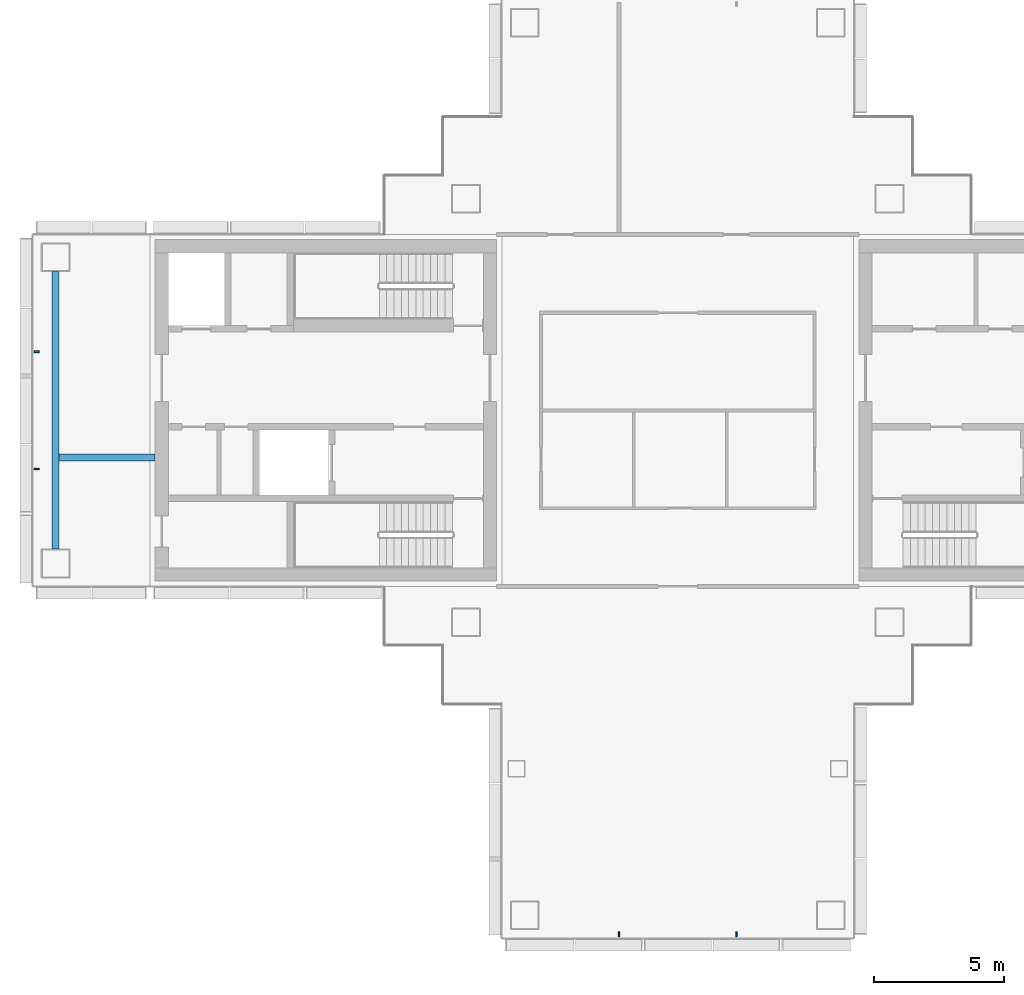
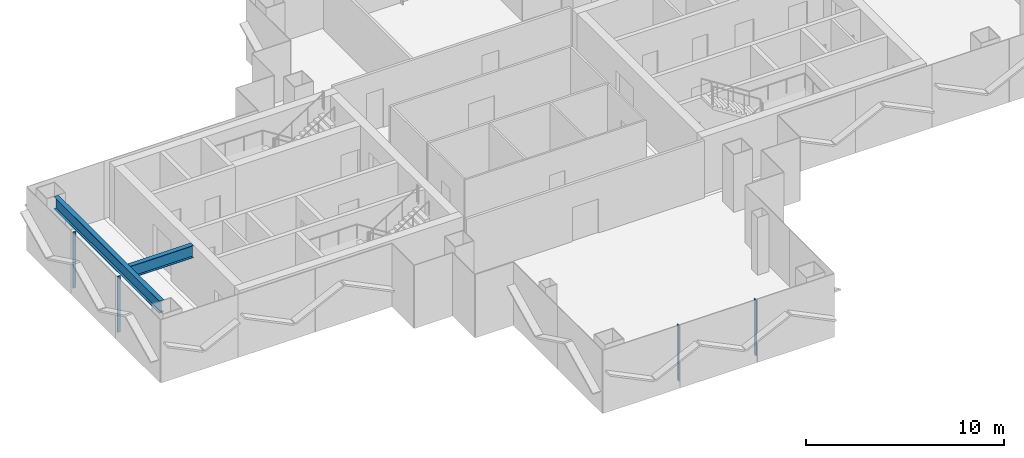
# One storey, part 3 of 16: 4 members, 2 beams, 2 elements without a shape of their own.
"""IFC4 building model written with IfcOpenShell, lengths in metres."""

from ifc_helpers import new_model, si_unit, direction, frame, origin, origin_2d, place, context, subcontext, project, spatial, rectangle, i_section, extrude, material, layer, layer_set, material_profile, profile_set, type_object, element, aggregate, save


model = new_model("IFC4")

# Units and contexts
model_context = context("Model", 3, precision=1e-05, world=origin(), true_north=direction((0.0, 1.0)))
body_context = subcontext(model_context, "Body", "Model", "MODEL_VIEW")
ifc_project = project(units=[si_unit("LENGTHUNIT", "METRE"), si_unit("AREAUNIT", "SQUARE_METRE"), si_unit("VOLUMEUNIT", "CUBIC_METRE"), si_unit("PLANEANGLEUNIT", "RADIAN"), si_unit("MASSUNIT", "GRAM", prefix="KILO")], contexts=[model_context])

# Site, building, storey
site_placement = place(None, origin())
site = spatial("IfcSite", under=ifc_project, at=site_placement, CompositionType="ELEMENT")
building_placement = place(site_placement, origin())
building = spatial("IfcBuilding", under=site, at=building_placement, Name="Shamsa Quay Exchange Towers", CompositionType="ELEMENT")
storey_placement = place(building_placement, frame((0.0, 0.0, 166.199951171875)))
storey = spatial("IfcBuildingStorey", under=building, at=storey_placement, Name="L39", CompositionType="ELEMENT", Elevation=166.199951171875)

# Curtain wall, members
ifc_material_1 = material(Name="Aluminium EN AW-6063 T6, black anodised", Category="aluminium")
ifc_layer = layer(ifc_material_1, 0.280029296875)
ifc_layer_set = layer_set([ifc_layer], Name="CW-1 UNITISED VISION GLASS")
curtain_wall_type = type_object("IfcCurtainWallType", Name="CW-1 UNITISED VISION GLASS", PredefinedType="NOTDEFINED", material=ifc_layer_set)
curtain_wall_1_placement = place(storey_placement, origin())
curtain_wall_1 = element("IfcCurtainWall", 1, at=curtain_wall_1_placement, inside=storey, type_object=curtain_wall_type, Name="CW1 T1-END-V- L39", PredefinedType="NOTDEFINED")
ifc_material_profile_1 = material_profile(ifc_material_1, rectangle(XDim=0.179931640625, YDim=0.06005859375, at=origin_2d()), Name="MU60x180")
ifc_profile_set_1 = profile_set([ifc_material_profile_1], Name="Aluminium EN AW-6063 T6, black anodised")
member_type = type_object("IfcMemberType", Name="CW1 MULLION 60x180", PredefinedType="MULLION", material=ifc_profile_set_1)
member_1_placement = place(storey_placement, frame((-36.0, -20.10009765625, 0.0), z_axis=(0.0, 0.0, 1.0), x_axis=(0.0, 1.0, 0.0)))
member_1 = element("IfcMember", 2, at=member_1_placement, type_object=member_type, Name="CW1 mullion", PredefinedType="MULLION", context=body_context, shape_type="SweptSolid", body=[
    extrude(rectangle(XDim=0.179931640625, YDim=0.06005859375, at=origin_2d()), origin(), (0.0, 0.0, 1.0), 3.449951171875),
])
member_2_placement = place(storey_placement, frame((-31.5, -20.10009765625, 0.0), z_axis=(0.0, 0.0, 1.0), x_axis=(0.0, 1.0, 0.0)))
member_2 = element("IfcMember", 3, at=member_2_placement, type_object=member_type, Name="CW1 mullion", PredefinedType="MULLION", context=body_context, shape_type="SweptSolid", body=[
    extrude(rectangle(XDim=0.179931640625, YDim=0.06005859375, at=origin_2d()), origin(), (0.0, 0.0, 1.0), 3.449951171875),
])
aggregate(curtain_wall_1, [member_1, member_2])

curtain_wall_2_placement = place(storey_placement, origin())
curtain_wall_2 = element("IfcCurtainWall", 4, at=curtain_wall_2_placement, inside=storey, type_object=curtain_wall_type, Name="CW1 T1-END-U- L39", PredefinedType="NOTDEFINED")
member_3_placement = place(storey_placement, frame((-58.35009765625, 2.25, 0.0)))
member_3 = element("IfcMember", 5, at=member_3_placement, type_object=member_type, Name="CW1 mullion", PredefinedType="MULLION", context=body_context, shape_type="SweptSolid", body=[
    extrude(rectangle(XDim=0.179931640625, YDim=0.06005859375, at=origin_2d()), origin(), (0.0, 0.0, 1.0), 3.449951171875),
])
member_4_placement = place(storey_placement, frame((-58.35009765625, -2.25, 0.0)))
member_4 = element("IfcMember", 6, at=member_4_placement, type_object=member_type, Name="CW1 mullion", PredefinedType="MULLION", context=body_context, shape_type="SweptSolid", body=[
    extrude(rectangle(XDim=0.179931640625, YDim=0.06005859375, at=origin_2d()), origin(), (0.0, 0.0, 1.0), 3.449951171875),
])
aggregate(curtain_wall_2, [member_3, member_4])

# Beams
ifc_material_2 = material(Name="Steel S355", Category="steel")
ifc_material_profile_2 = material_profile(ifc_material_2, i_section(OverallWidth=0.26611328125, OverallDepth=0.7578125, WebThickness=0.013916015625, FlangeThickness=0.019287109375, at=origin_2d()), Name="W30x108")
ifc_profile_set_2 = profile_set([ifc_material_profile_2], Name="Steel S355")
beam_type = type_object("IfcBeamType", Name="End-zone beam W30x108", PredefinedType="BEAM", material=ifc_profile_set_2)
beam_1_placement = place(storey_placement, frame((-57.625, -5.324951171875, 3.171142578125), z_axis=(0.0, 1.0, 0.0), x_axis=(-1.0, 0.0, 0.0)))
element("IfcBeam", 7, at=beam_1_placement, inside=storey, type_object=beam_type, Name="End beam T1 U- end zone L39", PredefinedType="BEAM", context=body_context, shape_type="SweptSolid", body=[
    extrude(i_section(OverallWidth=0.26611328125, OverallDepth=0.7578125, WebThickness=0.013916015625, FlangeThickness=0.019287109375, at=origin_2d()), origin(), (0.0, 0.0, 1.0), 10.64990234375),
])
beam_2_placement = place(storey_placement, frame((-53.800048828125, -1.800048828125, 3.171142578125), z_axis=(-1.0, 0.0, 0.0), x_axis=(0.0, -1.0, 0.0)))
element("IfcBeam", 8, at=beam_2_placement, inside=storey, type_object=beam_type, Name="Spine beam T1 U- end zone L39", PredefinedType="BEAM", context=body_context, shape_type="SweptSolid", body=[
    extrude(i_section(OverallWidth=0.26611328125, OverallDepth=0.7578125, WebThickness=0.013916015625, FlangeThickness=0.019287109375, at=origin_2d()), origin(), (0.0, 0.0, 1.0), 3.69189453125),
])

save(model, "model.ifc")
